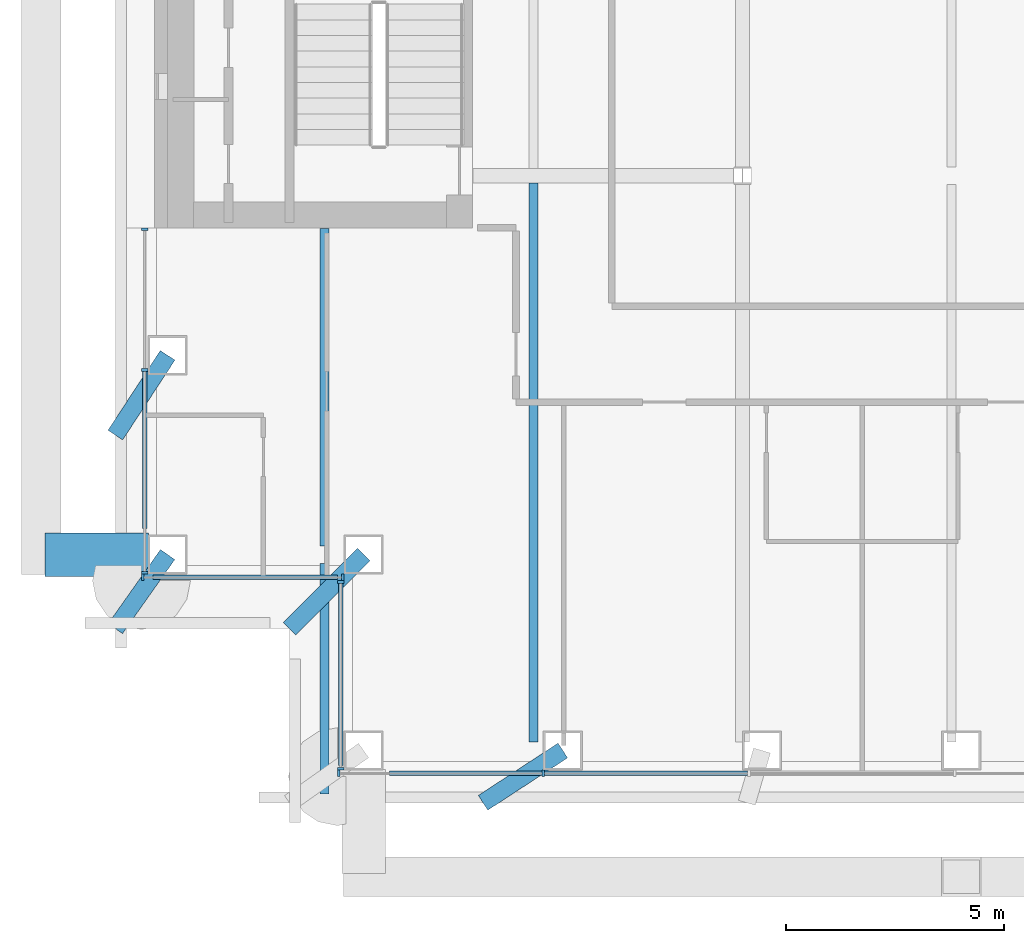
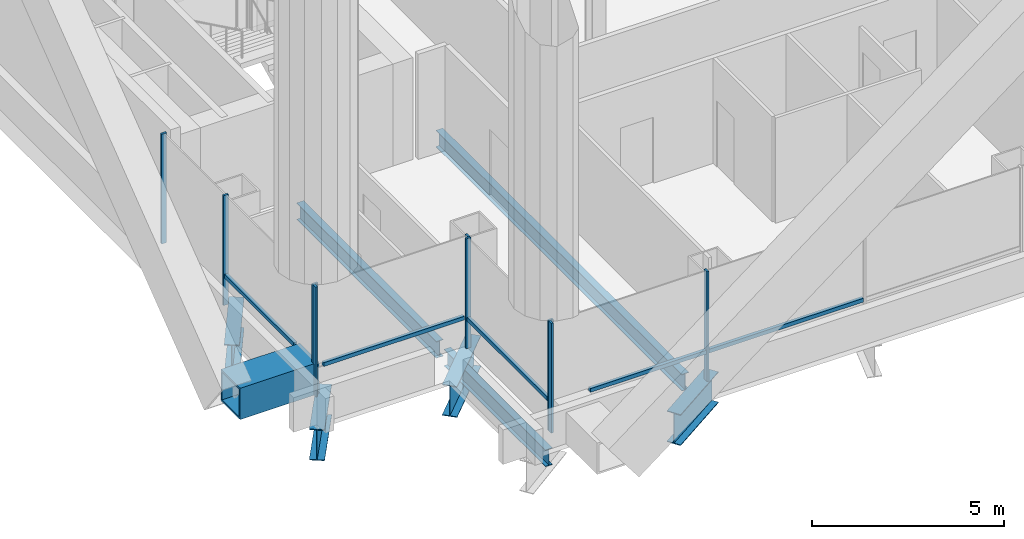
# One storey, part 2 of 22: 14 members, 8 beams, 4 elements without a shape of their own.
"""IFC4 building model written with IfcOpenShell, lengths in metres."""

from ifc_helpers import new_model, si_unit, direction, frame, origin, origin_2d, place, context, subcontext, project, spatial, rectangle, hollow_rectangle, i_section, extrude, material, material_profile, profile_set, type_object, element, aggregate, save


model = new_model("IFC4")

# Units and contexts
model_context = context("Model", 3, precision=1e-05, world=origin(), true_north=direction((0.0, 1.0)))
body_context = subcontext(model_context, "Body", "Model", "MODEL_VIEW")
ifc_project = project(units=[si_unit("LENGTHUNIT", "METRE"), si_unit("AREAUNIT", "SQUARE_METRE"), si_unit("VOLUMEUNIT", "CUBIC_METRE"), si_unit("PLANEANGLEUNIT", "RADIAN"), si_unit("MASSUNIT", "GRAM", prefix="KILO")], contexts=[model_context])

# Site, building, storey
site_placement = place(None, origin())
site = spatial("IfcSite", under=ifc_project, at=site_placement, CompositionType="ELEMENT")
building_placement = place(site_placement, origin())
building = spatial("IfcBuilding", under=site, at=building_placement, Name="Cobrizo Arcos Hotel Tower", CompositionType="ELEMENT")
storey_placement = place(building_placement, frame((0.0, 0.0, 89.0)))
storey = spatial("IfcBuildingStorey", under=building, at=storey_placement, Name="L21", CompositionType="ELEMENT", Elevation=89.0)

# Beam
ifc_material_1 = material(Name="Steel ASTM A572 Grade 50", Category="steel")
ifc_material_profile_1 = material_profile(ifc_material_1, hollow_rectangle(XDim=1.0, YDim=1.0, WallThickness=0.06005859375, at=origin_2d()), Name="BOX 1000X1000X60")
ifc_profile_set_1 = profile_set([ifc_material_profile_1], Name="Steel ASTM A572 Grade 50")
beam_type_1 = type_object("IfcBeamType", Name="BOX 1000X1000X60 brace connector strut", PredefinedType="BEAM", material=ifc_profile_set_1)
beam_1_placement = place(storey_placement, frame((-23.239990234375, -18.300048828125, 0.5), z_axis=(-1.0, 0.0, 0.0), x_axis=(0.0, -1.0, 0.0)))
element("IfcBeam", 1, at=beam_1_placement, inside=storey, type_object=beam_type_1, Name="Perimeter brace stub BS1, zone Z2, west face, offset -18.30 m, L21", PredefinedType="BEAM", context=body_context, shape_type="SweptSolid", body=[
    extrude(hollow_rectangle(XDim=1.0, YDim=1.0, WallThickness=0.06005859375, at=origin_2d()), origin(), (0.0, 0.0, 1.0), 2.380126953125),
])

# Curtain wall, members
ifc_material_2 = material(Name="Aluminium 6063-T6 anodised bronze", Category="aluminium")
curtain_wall_type = type_object("IfcCurtainWallType", Name="CW-A guest facade", PredefinedType="NOTDEFINED", material=ifc_material_2)
curtain_wall_1_placement = place(storey_placement, origin())
curtain_wall_1 = element("IfcCurtainWall", 2, at=curtain_wall_1_placement, inside=storey, type_object=curtain_wall_type, Name="CW-A L21 S face", PredefinedType="NOTDEFINED")
ifc_material_profile_2 = material_profile(ifc_material_2, rectangle(XDim=0.14990234375, YDim=0.06005859375, at=origin_2d()), Name="CW-A mullion 150x60")
ifc_profile_set_2 = profile_set([ifc_material_profile_2], Name="Aluminium 6063-T6 anodised bronze")
member_type_1 = type_object("IfcMemberType", Name="CW-A mullion 150x60", PredefinedType="MULLION", material=ifc_profile_set_2)
member_1_placement = place(storey_placement, frame((-18.8701171875, -23.324951171875, 0.0), z_axis=(0.0, 0.0, 1.0), x_axis=(0.0, -1.0, 0.0)))
member_1 = element("IfcMember", 3, at=member_1_placement, type_object=member_type_1, Name="CW-A mullion 1", PredefinedType="MULLION", context=body_context, shape_type="SweptSolid", body=[
    extrude(rectangle(XDim=0.14990234375, YDim=0.06005859375, at=origin_2d()), origin(), (0.0, 0.0, 1.0), 3.5),
])
member_2_placement = place(storey_placement, frame((-14.175048828125, -23.324951171875, 0.0), z_axis=(0.0, 0.0, 1.0), x_axis=(0.0, -1.0, 0.0)))
member_2 = element("IfcMember", 4, at=member_2_placement, type_object=member_type_1, Name="CW-A mullion 2", PredefinedType="MULLION", context=body_context, shape_type="SweptSolid", body=[
    extrude(rectangle(XDim=0.14990234375, YDim=0.06005859375, at=origin_2d()), origin(), (0.0, 0.0, 1.0), 3.5),
])

curtain_wall_2_placement = place(storey_placement, origin())
curtain_wall_2 = element("IfcCurtainWall", 5, at=curtain_wall_2_placement, inside=storey, type_object=curtain_wall_type, Name="CW-A L21 W face", PredefinedType="NOTDEFINED")
member_3_placement = place(storey_placement, frame((-23.324951171875, -10.830078125, 0.0), z_axis=(0.0, 0.0, 1.0), x_axis=(-1.0, 0.0, 0.0)))
member_3 = element("IfcMember", 6, at=member_3_placement, type_object=member_type_1, Name="CW-A mullion 1", PredefinedType="MULLION", context=body_context, shape_type="SweptSolid", body=[
    extrude(rectangle(XDim=0.14990234375, YDim=0.06005859375, at=origin_2d()), origin(), (0.0, 0.0, 1.0), 3.5),
])
member_4_placement = place(storey_placement, frame((-23.324951171875, -14.0625, 0.0), z_axis=(0.0, 0.0, 1.0), x_axis=(-1.0, 0.0, 0.0)))
member_4 = element("IfcMember", 7, at=member_4_placement, type_object=member_type_1, Name="CW-A mullion 2", PredefinedType="MULLION", context=body_context, shape_type="SweptSolid", body=[
    extrude(rectangle(XDim=0.14990234375, YDim=0.06005859375, at=origin_2d()), origin(), (0.0, 0.0, 1.0), 3.5),
])
member_5_placement = place(storey_placement, frame((-23.324951171875, -18.719970703125, 0.0), z_axis=(0.0, 0.0, 1.0), x_axis=(-1.0, 0.0, 0.0)))
member_5 = element("IfcMember", 8, at=member_5_placement, type_object=member_type_1, Name="CW-A mullion 3", PredefinedType="MULLION", context=body_context, shape_type="SweptSolid", body=[
    extrude(rectangle(XDim=0.14990234375, YDim=0.06005859375, at=origin_2d()), origin(), (0.0, 0.0, 1.0), 3.5),
])

curtain_wall_3_placement = place(storey_placement, origin())
curtain_wall_3 = element("IfcCurtainWall", 9, at=curtain_wall_3_placement, inside=storey, type_object=curtain_wall_type, Name="CW-A L21 S face", PredefinedType="NOTDEFINED")
member_6_placement = place(storey_placement, frame((-23.3701171875, -18.824951171875, 0.0), z_axis=(0.0, 0.0, 1.0), x_axis=(0.0, -1.0, 0.0)))
member_6 = element("IfcMember", 10, at=member_6_placement, type_object=member_type_1, Name="CW-A mullion 1", PredefinedType="MULLION", context=body_context, shape_type="SweptSolid", body=[
    extrude(rectangle(XDim=0.14990234375, YDim=0.06005859375, at=origin_2d()), origin(), (0.0, 0.0, 1.0), 3.5),
])
member_7_placement = place(storey_placement, frame((-18.780029296875, -18.824951171875, 0.0), z_axis=(0.0, 0.0, 1.0), x_axis=(0.0, -1.0, 0.0)))
member_7 = element("IfcMember", 11, at=member_7_placement, type_object=member_type_1, Name="CW-A mullion 2", PredefinedType="MULLION", context=body_context, shape_type="SweptSolid", body=[
    extrude(rectangle(XDim=0.14990234375, YDim=0.06005859375, at=origin_2d()), origin(), (0.0, 0.0, 1.0), 3.5),
])

curtain_wall_4_placement = place(storey_placement, origin())
curtain_wall_4 = element("IfcCurtainWall", 12, at=curtain_wall_4_placement, inside=storey, type_object=curtain_wall_type, Name="CW-A L21 W face", PredefinedType="NOTDEFINED")
member_8_placement = place(storey_placement, frame((-18.824951171875, -18.929931640625, 0.0), z_axis=(0.0, 0.0, 1.0), x_axis=(-1.0, 0.0, 0.0)))
member_8 = element("IfcMember", 13, at=member_8_placement, type_object=member_type_1, Name="CW-A mullion 1", PredefinedType="MULLION", context=body_context, shape_type="SweptSolid", body=[
    extrude(rectangle(XDim=0.14990234375, YDim=0.06005859375, at=origin_2d()), origin(), (0.0, 0.0, 1.0), 3.5),
])
member_9_placement = place(storey_placement, frame((-18.824951171875, -23.219970703125, 0.0), z_axis=(0.0, 0.0, 1.0), x_axis=(-1.0, 0.0, 0.0)))
member_9 = element("IfcMember", 14, at=member_9_placement, type_object=member_type_1, Name="CW-A mullion 2", PredefinedType="MULLION", context=body_context, shape_type="SweptSolid", body=[
    extrude(rectangle(XDim=0.14990234375, YDim=0.06005859375, at=origin_2d()), origin(), (0.0, 0.0, 1.0), 3.5),
])

# Member
ifc_material_profile_3 = material_profile(ifc_material_2, rectangle(XDim=0.10009765625, YDim=0.1201171875, at=origin_2d()), Name="CW-A transom 120x100")
ifc_profile_set_3 = profile_set([ifc_material_profile_3], Name="Aluminium 6063-T6 anodised bronze")
member_type_2 = type_object("IfcMemberType", Name="CW-A transom 120x100", PredefinedType="USERDEFINED", material=ifc_profile_set_3)
member_10_placement = place(storey_placement, frame((-17.699951171875, -23.324951171875, 0.929931640625), z_axis=(1.0, 0.0, 0.0), x_axis=(0.0, 1.0, 0.0)))
member_10 = element("IfcMember", 15, at=member_10_placement, type_object=member_type_2, Name="CW-A transom 851", ObjectType="TRANSOM", PredefinedType="USERDEFINED", context=body_context, shape_type="SweptSolid", body=[
    extrude(rectangle(XDim=0.10009765625, YDim=0.1201171875, at=origin_2d()), origin(), (0.0, 0.0, 1.0), 3.494873046875),
])

member_11_placement = place(storey_placement, frame((-14.14501953125, -23.324951171875, 0.929931640625), z_axis=(1.0, 0.0, 0.0), x_axis=(0.0, 1.0, 0.0)))
member_11 = element("IfcMember", 16, at=member_11_placement, type_object=member_type_2, Name="CW-A transom 852", ObjectType="TRANSOM", PredefinedType="USERDEFINED", context=body_context, shape_type="SweptSolid", body=[
    extrude(rectangle(XDim=0.10009765625, YDim=0.1201171875, at=origin_2d()), origin(), (0.0, 0.0, 1.0), 4.6650390625),
])

aggregate(curtain_wall_1, [member_1, member_2, member_10, member_11])

member_12_placement = place(storey_placement, frame((-23.324951171875, -14.092529296875, 0.929931640625), z_axis=(0.0, -1.0, 0.0), x_axis=(1.0, 0.0, 0.0)))
member_12 = element("IfcMember", 17, at=member_12_placement, type_object=member_type_2, Name="CW-A transom 880", ObjectType="TRANSOM", PredefinedType="USERDEFINED", context=body_context, shape_type="SweptSolid", body=[
    extrude(rectangle(XDim=0.10009765625, YDim=0.1201171875, at=origin_2d()), origin(), (0.0, 0.0, 1.0), 3.607421875),
])

aggregate(curtain_wall_2, [member_3, member_4, member_5, member_12])

member_13_placement = place(storey_placement, frame((-23.139892578125, -18.824951171875, 0.929931640625), z_axis=(1.0, 0.0, 0.0), x_axis=(0.0, 1.0, 0.0)))
member_13 = element("IfcMember", 18, at=member_13_placement, type_object=member_type_2, Name="CW-A transom 881", ObjectType="TRANSOM", PredefinedType="USERDEFINED", context=body_context, shape_type="SweptSolid", body=[
    extrude(rectangle(XDim=0.10009765625, YDim=0.1201171875, at=origin_2d()), origin(), (0.0, 0.0, 1.0), 4.239990234375),
])

aggregate(curtain_wall_3, [member_6, member_7, member_13])

member_14_placement = place(storey_placement, frame((-18.824951171875, -18.9599609375, 0.929931640625), z_axis=(0.0, -1.0, 0.0), x_axis=(1.0, 0.0, 0.0)))
member_14 = element("IfcMember", 19, at=member_14_placement, type_object=member_type_2, Name="CW-A transom 882", ObjectType="TRANSOM", PredefinedType="USERDEFINED", context=body_context, shape_type="SweptSolid", body=[
    extrude(rectangle(XDim=0.10009765625, YDim=0.1201171875, at=origin_2d()), origin(), (0.0, 0.0, 1.0), 4.179931640625),
])

aggregate(curtain_wall_4, [member_8, member_9, member_14])

# Beams
ifc_material_3 = material(Name="Steel ASTM A992 Grade 50", Category="steel")
ifc_material_profile_4 = material_profile(ifc_material_3, i_section(OverallWidth=0.209228515625, OverallDepth=0.533447265625, WebThickness=0.01025390625, FlangeThickness=0.015625, at=origin_2d()), Name="W21X62")
ifc_profile_set_4 = profile_set([ifc_material_profile_4], Name="Steel ASTM A992 Grade 50")
beam_type_2 = type_object("IfcBeamType", Name="W21X62 joist", PredefinedType="JOIST", material=ifc_profile_set_4)
beam_2_placement = place(storey_placement, frame((-19.199951171875, -23.799560546875, -0.416748046875), z_axis=(0.0, 1.0, 0.0), x_axis=(-1.0, 0.0, 0.0)))
element("IfcBeam", 20, at=beam_2_placement, inside=storey, type_object=beam_type_2, Name="Floor joist J1, L21, no. 001", PredefinedType="JOIST", context=body_context, shape_type="SweptSolid", body=[
    extrude(i_section(OverallWidth=0.209228515625, OverallDepth=0.533447265625, WebThickness=0.01025390625, FlangeThickness=0.015625, at=origin_2d()), origin(), (0.0, 0.0, 1.0), 5.299072265625),
])
beam_3_placement = place(storey_placement, frame((-19.199951171875, -18.099609375, -0.416748046875), z_axis=(0.0, 1.0, 0.0), x_axis=(-1.0, 0.0, 0.0)))
element("IfcBeam", 21, at=beam_3_placement, inside=storey, type_object=beam_type_2, Name="Floor joist J1, L21, no. 002", PredefinedType="JOIST", context=body_context, shape_type="SweptSolid", body=[
    extrude(i_section(OverallWidth=0.209228515625, OverallDepth=0.533447265625, WebThickness=0.01025390625, FlangeThickness=0.015625, at=origin_2d()), origin(), (0.0, 0.0, 1.0), 7.28955078125),
])
beam_4_placement = place(storey_placement, frame((-14.39990234375, -22.599609375, -0.416748046875), z_axis=(0.0, 1.0, 0.0), x_axis=(-1.0, 0.0, 0.0)))
element("IfcBeam", 22, at=beam_4_placement, inside=storey, type_object=beam_type_2, Name="Floor joist J1, L21, no. 005", PredefinedType="JOIST", context=body_context, shape_type="SweptSolid", body=[
    extrude(i_section(OverallWidth=0.209228515625, OverallDepth=0.533447265625, WebThickness=0.01025390625, FlangeThickness=0.015625, at=origin_2d()), origin(), (0.0, 0.0, 1.0), 12.835693359375),
])
ifc_material_profile_5 = material_profile(ifc_material_3, i_section(OverallWidth=0.4013671875, OverallDepth=0.990478515625, WebThickness=0.0166015625, FlangeThickness=0.025390625, at=origin_2d()), Name="W40X215")
ifc_profile_set_5 = profile_set([ifc_material_profile_5], Name="Steel ASTM A992 Grade 50")
beam_type_3 = type_object("IfcBeamType", Name="W40X215 transfer girder", PredefinedType="BEAM", material=ifc_profile_set_5)
beam_5_placement = place(storey_placement, frame((-15.555908203125, -24.0, -0.645263671875), z_axis=(0.836365917196, 0.548171553943, 0.0), x_axis=(-0.548171553943, 0.836365917196, 0.0)))
element("IfcBeam", 23, at=beam_5_placement, inside=storey, type_object=beam_type_3, Name="Setback transfer girder TG1, L21, no. 004", PredefinedType="BEAM", context=body_context, shape_type="SweptSolid", body=[
    extrude(i_section(OverallWidth=0.4013671875, OverallDepth=0.990478515625, WebThickness=0.0166015625, FlangeThickness=0.025390625, at=origin_2d()), origin(), (0.0, 0.0, 1.0), 2.18896484375),
])
beam_6_placement = place(storey_placement, frame((-24.0, -20.0, -0.645263671875), z_axis=(0.576678591087, 0.816971114901, 0.0), x_axis=(-0.816971114901, 0.576678591087, 0.0)))
element("IfcBeam", 24, at=beam_6_placement, inside=storey, type_object=beam_type_3, Name="Setback transfer girder TG1, L21, no. 014", PredefinedType="BEAM", context=body_context, shape_type="SweptSolid", body=[
    extrude(i_section(OverallWidth=0.4013671875, OverallDepth=0.990478515625, WebThickness=0.0166015625, FlangeThickness=0.025390625, at=origin_2d()), origin(), (0.0, 0.0, 1.0), 2.080810546875),
])
beam_7_placement = place(storey_placement, frame((-24.0, -15.555908203125, -0.645263671875), z_axis=(0.548171553943, 0.836365917196, 0.0), x_axis=(-0.836365917196, 0.548171553943, 0.0)))
element("IfcBeam", 25, at=beam_7_placement, inside=storey, type_object=beam_type_3, Name="Setback transfer girder TG1, L21, no. 016", PredefinedType="BEAM", context=body_context, shape_type="SweptSolid", body=[
    extrude(i_section(OverallWidth=0.4013671875, OverallDepth=0.990478515625, WebThickness=0.0166015625, FlangeThickness=0.025390625, at=origin_2d()), origin(), (0.0, 0.0, 1.0), 2.18896484375),
])
beam_8_placement = place(storey_placement, frame((-20.0, -20.0, -0.645263671875), z_axis=(0.707106781187, 0.707106781187, 0.0), x_axis=(-0.707106781187, 0.707106781187, 0.0)))
element("IfcBeam", 26, at=beam_8_placement, inside=storey, type_object=beam_type_3, Name="Setback transfer girder TG1, L21, no. 021", PredefinedType="BEAM", context=body_context, shape_type="SweptSolid", body=[
    extrude(i_section(OverallWidth=0.4013671875, OverallDepth=0.990478515625, WebThickness=0.0166015625, FlangeThickness=0.025390625, at=origin_2d()), origin(), (0.0, 0.0, 1.0), 2.404052734375),
])

save(model, "model.ifc")
